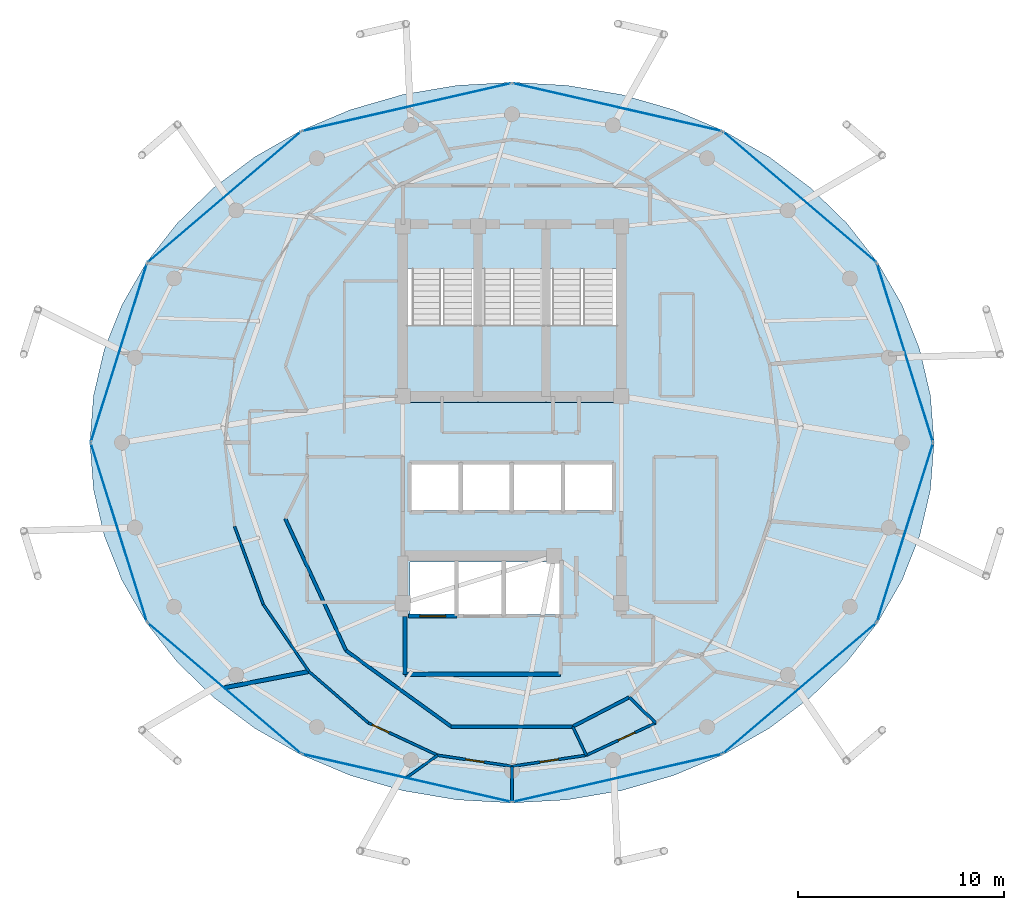
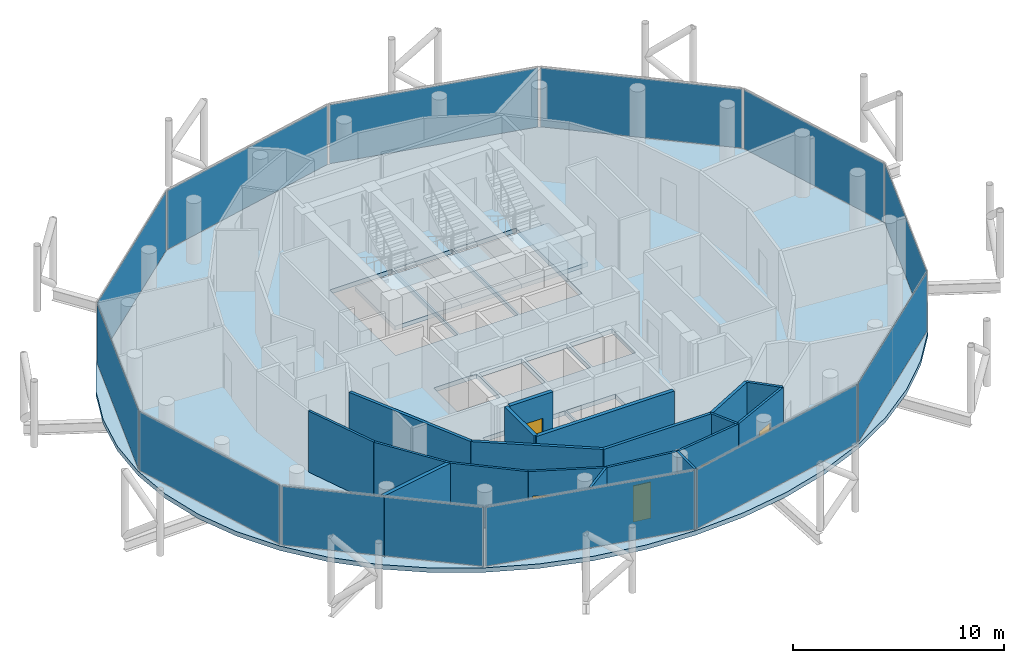
# One storey, part 19 of 24: 19 walls, 12 plates, 5 doors, 4 slabs, 5 openings, 15 elements without a shape of their own.
"""IFC4 building model written with IfcOpenShell, lengths in metres."""

from ifc_helpers import new_model, si_unit, direction, frame, frame_2d, origin, origin_2d, place, context, subcontext, project, spatial, polyline, rectangle, outline, extrude, material, layer, layer_set, type_object, element, fill, aggregate, save


model = new_model("IFC4")

# Units and contexts
model_context = context("Model", 3, precision=1e-05, world=origin(), true_north=direction((0.0, 1.0)))
body_context = subcontext(model_context, "Body", "Model", "MODEL_VIEW")
ifc_project = project(units=[si_unit("LENGTHUNIT", "METRE"), si_unit("AREAUNIT", "SQUARE_METRE"), si_unit("VOLUMEUNIT", "CUBIC_METRE"), si_unit("PLANEANGLEUNIT", "RADIAN"), si_unit("MASSUNIT", "GRAM", prefix="KILO")], contexts=[model_context])

# Site, building, storey
site_placement = place(None, origin())
site = spatial("IfcSite", under=ifc_project, at=site_placement, CompositionType="ELEMENT")
building_placement = place(site_placement, origin())
building = spatial("IfcBuilding", under=site, at=building_placement, Name="Nuhasar Tower", CompositionType="ELEMENT")
storey_placement = place(building_placement, frame((0.0, 0.0, 286.0)))
storey = spatial("IfcBuildingStorey", under=building, at=storey_placement, Name="L71", CompositionType="ELEMENT", Elevation=286.0)

# Curtain wall, plate
ifc_material_1 = material(Name="Aluminium 6063-T6", Category="aluminium")
ifc_layer_1 = layer(ifc_material_1, 0.18994140625)
ifc_layer_set_1 = layer_set([ifc_layer_1], Name="Aluminium 6063-T6")
curtain_wall_type = type_object("IfcCurtainWallType", Name="CW-Z4-PEN", PredefinedType="NOTDEFINED", material=ifc_layer_set_1)
curtain_wall_1_placement = place(storey_placement, origin())
curtain_wall_1 = element("IfcCurtainWall", 1, at=curtain_wall_1_placement, inside=storey, type_object=curtain_wall_type, Name="L71 Unitised Curtain Wall 01", PredefinedType="NOTDEFINED")
ifc_material_2 = material(Name="Glass Double Low-E", Category="glass")
ifc_layer_2 = layer(ifc_material_2, 0.028076171875)
ifc_layer_set_2 = layer_set([ifc_layer_2], Name="Glass Double Low-E")
plate_type = type_object("IfcPlateType", Name="CW-PANEL-GLZ", PredefinedType="CURTAIN_PANEL", material=ifc_layer_set_2)
plate_1_placement = place(storey_placement, frame((58.089599609375, 31.1650390625, 0.06005859375), z_axis=(0.0, 0.0, 1.0), x_axis=(-0.299556614146, 0.954078526601, 0.0)))
plate_1 = element("IfcPlate", 2, at=plate_1_placement, type_object=plate_type, Name="CW-Z4 panel 1.1", PredefinedType="CURTAIN_PANEL", context=body_context, shape_type="SweptSolid", body=[
    extrude(rectangle(XDim=9.0302734375, YDim=0.028076171875, at=origin_2d()), origin(), (0.0, 0.0, 1.0), 3.419921875),
])
aggregate(curtain_wall_1, [plate_1])

curtain_wall_2_placement = place(storey_placement, origin())
curtain_wall_2 = element("IfcCurtainWall", 3, at=curtain_wall_2_placement, inside=storey, type_object=curtain_wall_type, Name="L71 Unitised Curtain Wall 02", PredefinedType="NOTDEFINED")
plate_2_placement = place(storey_placement, frame((52.974609375, 38.7255859375, 0.06005859375), z_axis=(0.0, 0.0, 1.0), x_axis=(-0.760667252327, 0.649141996205, 0.0)))
plate_2 = element("IfcPlate", 4, at=plate_2_placement, type_object=plate_type, Name="CW-Z4 panel 1.1", PredefinedType="CURTAIN_PANEL", context=body_context, shape_type="SweptSolid", body=[
    extrude(rectangle(XDim=9.725341796875, YDim=0.028076171875, at=origin_2d()), origin(), (0.0, 0.0, 1.0), 3.419921875),
])
aggregate(curtain_wall_2, [plate_2])

curtain_wall_3_placement = place(storey_placement, origin())
curtain_wall_3 = element("IfcCurtainWall", 5, at=curtain_wall_3_placement, inside=storey, type_object=curtain_wall_type, Name="L71 Unitised Curtain Wall 03", PredefinedType="NOTDEFINED")
plate_3_placement = place(storey_placement, frame((44.114990234375, 43.090576171875, 0.06005859375), z_axis=(0.0, 0.0, 1.0), x_axis=(-0.97484371891, 0.222889487645, 0.0)))
plate_3 = element("IfcPlate", 6, at=plate_3_placement, type_object=plate_type, Name="CW-Z4 panel 1.1", PredefinedType="CURTAIN_PANEL", context=body_context, shape_type="SweptSolid", body=[
    extrude(rectangle(XDim=10.3740234375, YDim=0.028076171875, at=origin_2d()), origin(), (0.0, 0.0, 1.0), 3.419921875),
])
aggregate(curtain_wall_3, [plate_3])

curtain_wall_4_placement = place(storey_placement, origin())
curtain_wall_4 = element("IfcCurtainWall", 7, at=curtain_wall_4_placement, inside=storey, type_object=curtain_wall_type, Name="L71 Unitised Curtain Wall 04", PredefinedType="NOTDEFINED")
plate_4_placement = place(storey_placement, frame((33.885009765625, 43.090576171875, 0.06005859375), z_axis=(0.0, 0.0, 1.0), x_axis=(-0.97484371891, -0.222889487645, 0.0)))
plate_4 = element("IfcPlate", 8, at=plate_4_placement, type_object=plate_type, Name="CW-Z4 panel 1.1", PredefinedType="CURTAIN_PANEL", context=body_context, shape_type="SweptSolid", body=[
    extrude(rectangle(XDim=10.3740234375, YDim=0.028076171875, at=origin_2d()), origin(), (0.0, 0.0, 1.0), 3.419921875),
])
aggregate(curtain_wall_4, [plate_4])

curtain_wall_5_placement = place(storey_placement, origin())
curtain_wall_5 = element("IfcCurtainWall", 9, at=curtain_wall_5_placement, inside=storey, type_object=curtain_wall_type, Name="L71 Unitised Curtain Wall 05", PredefinedType="NOTDEFINED")
plate_5_placement = place(storey_placement, frame((25.025390625, 38.7255859375, 0.06005859375), z_axis=(0.0, 0.0, 1.0), x_axis=(-0.760667252327, -0.649141996205, 0.0)))
plate_5 = element("IfcPlate", 10, at=plate_5_placement, type_object=plate_type, Name="CW-Z4 panel 1.1", PredefinedType="CURTAIN_PANEL", context=body_context, shape_type="SweptSolid", body=[
    extrude(rectangle(XDim=9.725341796875, YDim=0.028076171875, at=origin_2d()), origin(), (0.0, 0.0, 1.0), 3.419921875),
])
aggregate(curtain_wall_5, [plate_5])

curtain_wall_6_placement = place(storey_placement, origin())
curtain_wall_6 = element("IfcCurtainWall", 11, at=curtain_wall_6_placement, inside=storey, type_object=curtain_wall_type, Name="L71 Unitised Curtain Wall 06", PredefinedType="NOTDEFINED")
plate_6_placement = place(storey_placement, frame((19.910400390625, 31.1650390625, 0.06005859375), z_axis=(0.0, 0.0, 1.0), x_axis=(-0.299556614146, -0.954078526601, 0.0)))
plate_6 = element("IfcPlate", 12, at=plate_6_placement, type_object=plate_type, Name="CW-Z4 panel 1.1", PredefinedType="CURTAIN_PANEL", context=body_context, shape_type="SweptSolid", body=[
    extrude(rectangle(XDim=9.0302734375, YDim=0.028076171875, at=origin_2d()), origin(), (0.0, 0.0, 1.0), 3.419921875),
])
aggregate(curtain_wall_6, [plate_6])

curtain_wall_7_placement = place(storey_placement, origin())
curtain_wall_7 = element("IfcCurtainWall", 13, at=curtain_wall_7_placement, inside=storey, type_object=curtain_wall_type, Name="L71 Unitised Curtain Wall 07", PredefinedType="NOTDEFINED")
plate_7_placement = place(storey_placement, frame((19.910400390625, 22.43505859375, 0.06005859375), z_axis=(0.0, 0.0, 1.0), x_axis=(0.299556614146, -0.954078526601, 0.0)))
plate_7 = element("IfcPlate", 14, at=plate_7_placement, type_object=plate_type, Name="CW-Z4 panel 1.1", PredefinedType="CURTAIN_PANEL", context=body_context, shape_type="SweptSolid", body=[
    extrude(rectangle(XDim=9.0302734375, YDim=0.028076171875, at=origin_2d()), origin(), (0.0, 0.0, 1.0), 3.419921875),
])
aggregate(curtain_wall_7, [plate_7])

curtain_wall_8_placement = place(storey_placement, origin())
curtain_wall_8 = element("IfcCurtainWall", 15, at=curtain_wall_8_placement, inside=storey, type_object=curtain_wall_type, Name="L71 Unitised Curtain Wall 08", PredefinedType="NOTDEFINED")
plate_8_placement = place(storey_placement, frame((25.025390625, 14.87451171875, 0.06005859375), z_axis=(0.0, 0.0, 1.0), x_axis=(0.760667252327, -0.649141996205, 0.0)))
plate_8 = element("IfcPlate", 16, at=plate_8_placement, type_object=plate_type, Name="CW-Z4 panel 1.1", PredefinedType="CURTAIN_PANEL", context=body_context, shape_type="SweptSolid", body=[
    extrude(rectangle(XDim=9.725341796875, YDim=0.028076171875, at=origin_2d()), origin(), (0.0, 0.0, 1.0), 3.419921875),
])
aggregate(curtain_wall_8, [plate_8])

curtain_wall_9_placement = place(storey_placement, origin())
curtain_wall_9 = element("IfcCurtainWall", 17, at=curtain_wall_9_placement, inside=storey, type_object=curtain_wall_type, Name="L71 Unitised Curtain Wall 09", PredefinedType="NOTDEFINED")
plate_9_placement = place(storey_placement, frame((33.885009765625, 10.509521484375, 0.06005859375), z_axis=(0.0, 0.0, 1.0), x_axis=(0.97484371891, -0.222889487645, 0.0)))
plate_9 = element("IfcPlate", 18, at=plate_9_placement, type_object=plate_type, Name="CW-Z4 panel 1.1", PredefinedType="CURTAIN_PANEL", context=body_context, shape_type="SweptSolid", body=[
    extrude(rectangle(XDim=10.3740234375, YDim=0.028076171875, at=origin_2d()), origin(), (0.0, 0.0, 1.0), 3.419921875),
])
aggregate(curtain_wall_9, [plate_9])

curtain_wall_10_placement = place(storey_placement, origin())
curtain_wall_10 = element("IfcCurtainWall", 19, at=curtain_wall_10_placement, inside=storey, type_object=curtain_wall_type, Name="L71 Unitised Curtain Wall 10", PredefinedType="NOTDEFINED")
plate_10_placement = place(storey_placement, frame((44.114990234375, 10.509521484375, 0.06005859375), z_axis=(0.0, 0.0, 1.0), x_axis=(0.97484371891, 0.222889487645, 0.0)))
plate_10 = element("IfcPlate", 20, at=plate_10_placement, type_object=plate_type, Name="CW-Z4 panel 1.1", PredefinedType="CURTAIN_PANEL", context=body_context, shape_type="SweptSolid", body=[
    extrude(rectangle(XDim=10.3740234375, YDim=0.028076171875, at=origin_2d()), origin(), (0.0, 0.0, 1.0), 3.419921875),
])
aggregate(curtain_wall_10, [plate_10])

curtain_wall_11_placement = place(storey_placement, origin())
curtain_wall_11 = element("IfcCurtainWall", 21, at=curtain_wall_11_placement, inside=storey, type_object=curtain_wall_type, Name="L71 Unitised Curtain Wall 11", PredefinedType="NOTDEFINED")
plate_11_placement = place(storey_placement, frame((52.974609375, 14.87451171875, 0.06005859375), z_axis=(0.0, 0.0, 1.0), x_axis=(0.760667252327, 0.649141996205, 0.0)))
plate_11 = element("IfcPlate", 22, at=plate_11_placement, type_object=plate_type, Name="CW-Z4 panel 1.1", PredefinedType="CURTAIN_PANEL", context=body_context, shape_type="SweptSolid", body=[
    extrude(rectangle(XDim=9.725341796875, YDim=0.028076171875, at=origin_2d()), origin(), (0.0, 0.0, 1.0), 3.419921875),
])
aggregate(curtain_wall_11, [plate_11])

curtain_wall_12_placement = place(storey_placement, origin())
curtain_wall_12 = element("IfcCurtainWall", 23, at=curtain_wall_12_placement, inside=storey, type_object=curtain_wall_type, Name="L71 Unitised Curtain Wall 12", PredefinedType="NOTDEFINED")
plate_12_placement = place(storey_placement, frame((58.089599609375, 22.43505859375, 0.06005859375), z_axis=(0.0, 0.0, 1.0), x_axis=(0.299556614146, 0.954078526601, 0.0)))
plate_12 = element("IfcPlate", 24, at=plate_12_placement, type_object=plate_type, Name="CW-Z4 panel 1.1", PredefinedType="CURTAIN_PANEL", context=body_context, shape_type="SweptSolid", body=[
    extrude(rectangle(XDim=9.0302734375, YDim=0.028076171875, at=origin_2d()), origin(), (0.0, 0.0, 1.0), 3.419921875),
])
aggregate(curtain_wall_12, [plate_12])

# Stair, slab
ifc_material_3 = material(Name="Concrete C45/55", Category="concrete")
stair_type_1 = type_object("IfcStairType", Name="STR-ST-01-2F-22R-1727", PredefinedType="HALF_TURN_STAIR", material=ifc_material_3)
stair_1_placement = place(storey_placement, origin())
stair_1 = element("IfcStair", 25, at=stair_1_placement, inside=storey, type_object=stair_type_1, Name="L71 Exit Stair ST-01", PredefinedType="HALF_TURN_STAIR")
ifc_layer_3 = layer(ifc_material_3, 0.239990234375)
ifc_layer_set_3 = layer_set([ifc_layer_3], Name="Concrete C45/55")
slab_type_1 = type_object("IfcSlabType", Name="SLB-STAIR-LND-240", PredefinedType="LANDING", material=ifc_layer_set_3)
slab_1_placement = place(storey_placement, frame((0.0, 0.0, 1.659912109375)))
slab_1 = element("IfcSlab", 26, at=slab_1_placement, type_object=slab_type_1, Name="ST-01 landing 1", PredefinedType="LANDING", context=body_context, shape_type="SweptSolid", body=[
    extrude(outline(polyline([(33.699951171875, 28.75), (37.35009765625, 28.75), (37.35009765625, 32.52001953125), (33.699951171875, 32.52001953125), (33.699951171875, 28.75)])), origin(), (0.0, 0.0, 1.0), 0.239990234375),
])
aggregate(stair_1, [slab_1])

stair_type_2 = type_object("IfcStairType", Name="STR-ST-03-2F-22R-1727", PredefinedType="HALF_TURN_STAIR", material=ifc_material_3)
stair_2_placement = place(storey_placement, origin())
stair_2 = element("IfcStair", 27, at=stair_2_placement, inside=storey, type_object=stair_type_2, Name="L71 Exit Stair ST-03", PredefinedType="HALF_TURN_STAIR")
slab_2_placement = place(storey_placement, frame((0.0, 0.0, 1.659912109375)))
slab_2 = element("IfcSlab", 28, at=slab_2_placement, type_object=slab_type_1, Name="ST-03 landing 1", PredefinedType="LANDING", context=body_context, shape_type="SweptSolid", body=[
    extrude(outline(polyline([(37.35009765625, 28.75), (40.64990234375, 28.75), (40.64990234375, 32.52001953125), (37.35009765625, 32.52001953125), (37.35009765625, 28.75)])), origin(), (0.0, 0.0, 1.0), 0.239990234375),
])
aggregate(stair_2, [slab_2])

stair_type_3 = type_object("IfcStairType", Name="STR-ST-02-2F-22R-1727", PredefinedType="HALF_TURN_STAIR", material=ifc_material_3)
stair_3_placement = place(storey_placement, origin())
stair_3 = element("IfcStair", 29, at=stair_3_placement, inside=storey, type_object=stair_type_3, Name="L71 Exit Stair ST-02", PredefinedType="HALF_TURN_STAIR")
slab_3_placement = place(storey_placement, frame((0.0, 0.0, 1.659912109375)))
slab_3 = element("IfcSlab", 30, at=slab_3_placement, type_object=slab_type_1, Name="ST-02 landing 1", PredefinedType="LANDING", context=body_context, shape_type="SweptSolid", body=[
    extrude(outline(polyline([(40.64990234375, 28.75), (44.300048828125, 28.75), (44.300048828125, 32.52001953125), (40.64990234375, 32.52001953125), (40.64990234375, 28.75)])), origin(), (0.0, 0.0, 1.0), 0.239990234375),
])
aggregate(stair_3, [slab_3])

# Slab
ifc_material_4 = material(Name="Concrete C50/60", Category="concrete")
ifc_layer_4 = layer(ifc_material_4, 0.260009765625)
ifc_layer_set_4 = layer_set([ifc_layer_4], Name="Concrete C50/60")
slab_type_2 = type_object("IfcSlabType", Name="SLB-Z1A-260", PredefinedType="FLOOR", material=ifc_layer_set_4)
slab_4_placement = place(storey_placement, frame((0.0, 0.0, -0.260009765625)))
element("IfcSlab", 31, at=slab_4_placement, inside=storey, type_object=slab_type_2, Name="L71 Structural Slab", PredefinedType="FLOOR", context=body_context, shape_type="SweptSolid", body=[
    extrude(outline(polyline([(59.5, 26.800048828125), (59.324951171875, 29.083984375), (58.801025390625, 31.3291015625), (57.93994140625, 33.4970703125), (56.75390625, 35.550048828125), (55.263916015625, 37.452880859375), (53.49609375, 39.174072265625), (51.47998046875, 40.68408203125), (49.25, 41.955078125), (46.844970703125, 42.968017578125), (44.305908203125, 43.7041015625), (41.676025390625, 44.14990234375), (39.0, 44.300048828125), (36.323974609375, 44.14990234375), (33.694091796875, 43.7041015625), (31.155029296875, 42.968017578125), (28.75, 41.955078125), (26.52001953125, 40.68408203125), (24.50390625, 39.174072265625), (22.736083984375, 37.452880859375), (21.24609375, 35.550048828125), (20.06005859375, 33.4970703125), (19.198974609375, 31.3291015625), (18.675048828125, 29.083984375), (18.5, 26.800048828125), (18.675048828125, 24.51611328125), (19.198974609375, 22.27099609375), (20.06005859375, 20.10302734375), (21.24609375, 18.050048828125), (22.736083984375, 16.14697265625), (24.50390625, 14.426025390625), (26.52001953125, 12.916015625), (28.75, 11.64501953125), (31.155029296875, 10.632080078125), (33.694091796875, 9.89599609375), (36.323974609375, 9.449951171875), (39.0, 9.300048828125), (41.676025390625, 9.449951171875), (44.305908203125, 9.89599609375), (46.844970703125, 10.632080078125), (49.25, 11.64501953125), (51.47998046875, 12.916015625), (53.49609375, 14.426025390625), (55.263916015625, 16.14697265625), (56.75390625, 18.050048828125), (57.93994140625, 20.10302734375), (58.801025390625, 22.27099609375), (59.324951171875, 24.51611328125), (59.5, 26.800048828125)]), holes=[polyline([(33.8798828125, 35.25), (37.300048828125, 35.25), (37.300048828125, 29.0), (33.8798828125, 29.0), (33.8798828125, 35.25)]), polyline([(37.39990234375, 35.25), (40.60009765625, 35.25), (40.60009765625, 29.0), (37.39990234375, 29.0), (37.39990234375, 35.25)]), polyline([(40.699951171875, 35.25), (44.1201171875, 35.25), (44.1201171875, 29.0), (40.699951171875, 29.0), (40.699951171875, 35.25)]), polyline([(34.10009765625, 25.75), (36.43994140625, 25.75), (36.43994140625, 23.5), (34.10009765625, 23.5), (34.10009765625, 25.75)]), polyline([(36.580078125, 25.75), (38.919921875, 25.75), (38.919921875, 23.5), (36.580078125, 23.5), (36.580078125, 25.75)]), polyline([(39.06005859375, 25.75), (41.39990234375, 25.75), (41.39990234375, 23.5), (39.06005859375, 23.5), (39.06005859375, 25.75)]), polyline([(41.5400390625, 25.75), (43.8798828125, 25.75), (43.8798828125, 23.5), (41.5400390625, 23.5), (41.5400390625, 25.75)]), polyline([(34.050048828125, 21.0), (36.25, 21.0), (36.25, 18.449951171875), (34.050048828125, 18.449951171875), (34.050048828125, 21.0)]), polyline([(36.35009765625, 21.0), (38.550048828125, 21.0), (38.550048828125, 18.449951171875), (36.35009765625, 18.449951171875), (36.35009765625, 21.0)]), polyline([(38.64990234375, 21.0), (41.320068359375, 21.0), (41.320068359375, 18.449951171875), (38.64990234375, 18.449951171875), (38.64990234375, 21.0)])]), origin(), (0.0, 0.0, 1.0), 0.260009765625),
])

# Walls
ifc_material_5 = material(Name="Gypsum Board", Category="gypsum")
ifc_layer_5 = layer(ifc_material_5, 0.159912109375)
ifc_layer_set_5 = layer_set([ifc_layer_5], Name="Gypsum Board")
wall_type_1 = type_object("IfcWallType", Name="WL-CORR-160", PredefinedType="PARTITIONING", material=ifc_layer_set_5)
wall_1_placement = place(storey_placement, frame((27.988037109375, 23.10400390625, 0.0), z_axis=(0.0, 0.0, 1.0), x_axis=(0.418656179426, -0.908144814128, 0.0)))
element("IfcWall", 32, at=wall_1_placement, inside=storey, type_object=wall_type_1, Name="L71 Interior Partition UWEST-CORE-S1-26", PredefinedType="PARTITIONING", context=body_context, shape_type="SweptSolid", body=[
    extrude(rectangle(XDim=7.048583984375, YDim=0.159912109375, at=frame_2d((3.5244140625, 0.0))), origin(), (0.0, 0.0, 1.0), 3.5400390625),
])
wall_2_placement = place(storey_placement, frame((30.93896484375, 16.702880859375, 0.0), z_axis=(0.0, 0.0, 1.0), x_axis=(0.810290119061, -0.586028943784, 0.0)))
element("IfcWall", 33, at=wall_2_placement, inside=storey, type_object=wall_type_1, Name="L71 Interior Partition UWEST-CORE-S1-30", PredefinedType="PARTITIONING", context=body_context, shape_type="SweptSolid", body=[
    extrude(rectangle(XDim=6.306396484375, YDim=0.159912109375, at=frame_2d((3.1533203125, 0.0))), origin(), (0.0, 0.0, 1.0), 3.5400390625),
])
wall_3_placement = place(storey_placement, frame((36.049072265625, 13.007080078125, 0.0), z_axis=(0.0, 0.0, 1.0), x_axis=(1.0, 0.0, 0.0)))
element("IfcWall", 34, at=wall_3_placement, inside=storey, type_object=wall_type_1, Name="L71 Interior Partition UWEST-CORE-S1-34", PredefinedType="PARTITIONING", context=body_context, shape_type="SweptSolid", body=[
    extrude(rectangle(XDim=5.90185546875, YDim=0.159912109375, at=frame_2d((2.950927734375, 0.0))), origin(), (0.0, 0.0, 1.0), 3.5400390625),
])
wall_4_placement = place(storey_placement, frame((41.950927734375, 13.007080078125, 0.0), z_axis=(0.0, 0.0, 1.0), x_axis=(0.887674575788, 0.460471331898, 0.0)))
element("IfcWall", 35, at=wall_4_placement, inside=storey, type_object=wall_type_1, Name="L71 Interior Partition UWEST-CORE-S1-38", PredefinedType="PARTITIONING", context=body_context, shape_type="SweptSolid", body=[
    extrude(rectangle(XDim=3.096923828125, YDim=0.159912109375, at=frame_2d((1.54833984375, 0.0))), origin(), (0.0, 0.0, 1.0), 3.5400390625),
])
ifc_layer_6 = layer(ifc_material_3, 0.199951171875)
ifc_layer_set_6 = layer_set([ifc_layer_6], Name="Concrete C45/55")
wall_type_2 = type_object("IfcWallType", Name="WL-LOBBY-200", PredefinedType="SOLIDWALL", material=ifc_layer_set_6)
wall_5_placement = place(storey_placement, frame((33.800048828125, 15.550048828125, 0.0), z_axis=(0.0, 0.0, 1.0), x_axis=(1.0, 0.0, 0.0)))
element("IfcWall", 36, at=wall_5_placement, inside=storey, type_object=wall_type_2, Name="L71 Interior Partition FFL-S", PredefinedType="SOLIDWALL", context=body_context, shape_type="SweptSolid", body=[
    extrude(rectangle(XDim=7.550048828125, YDim=0.199951171875, at=frame_2d((3.77490234375, 0.0))), origin(), (0.0, 0.0, 1.0), 3.5400390625),
])
wall_6_placement = place(storey_placement, frame((33.800048828125, 15.550048828125, 0.0), z_axis=(0.0, 0.0, 1.0), x_axis=(0.0, 1.0, 0.0)))
element("IfcWall", 37, at=wall_6_placement, inside=storey, type_object=wall_type_2, Name="L71 Interior Partition FFL-W", PredefinedType="SOLIDWALL", context=body_context, shape_type="SweptSolid", body=[
    extrude(rectangle(XDim=2.800048828125, YDim=0.199951171875, at=frame_2d((1.39990234375, 0.0))), origin(), (0.0, 0.0, 1.0), 3.5400390625),
])
ifc_layer_7 = layer(ifc_material_5, 0.125)
ifc_layer_set_7 = layer_set([ifc_layer_7], Name="Gypsum Board")
wall_type_3 = type_object("IfcWallType", Name="WL-PART-125", PredefinedType="PARTITIONING", material=ifc_layer_set_7)
wall_7_placement = place(storey_placement, frame((25.52490234375, 22.73095703125, 0.0), z_axis=(0.0, 0.0, 1.0), x_axis=(0.345128286029, -0.938555521097, 0.0)))
element("IfcWall", 38, at=wall_7_placement, inside=storey, type_object=wall_type_3, Name="L71 Interior Partition USM-1-D-26", PredefinedType="PARTITIONING", context=body_context, shape_type="SweptSolid", body=[
    extrude(rectangle(XDim=4.039306640625, YDim=0.125, at=frame_2d((2.01953125, 0.0))), origin(), (0.0, 0.0, 1.0), 3.5400390625),
])
wall_8_placement = place(storey_placement, frame((26.9189453125, 18.93994140625, 0.0), z_axis=(0.0, 0.0, 1.0), x_axis=(0.562840533245, -0.826565505049, 0.0)))
element("IfcWall", 39, at=wall_8_placement, inside=storey, type_object=wall_type_3, Name="L71 Interior Partition USM-1-D-28", PredefinedType="PARTITIONING", context=body_context, shape_type="SweptSolid", body=[
    extrude(rectangle(XDim=3.93896484375, YDim=0.125, at=frame_2d((1.969482421875, 0.0))), origin(), (0.0, 0.0, 1.0), 3.5400390625),
])

# Wall, opening, door
wall_9_placement = place(storey_placement, frame((45.97509765625, 13.18603515625, 0.0), z_axis=(0.0, 0.0, 1.0), x_axis=(-0.906162977721, -0.422928667517, 0.0)))
wall_9 = element("IfcWall", 40, at=wall_9_placement, inside=storey, type_object=wall_type_3, Name="L71 Interior Partition USM-2-K-38", PredefinedType="PARTITIONING", context=body_context, shape_type="SweptSolid", body=[
    extrude(rectangle(XDim=3.71240234375, YDim=0.125, at=frame_2d((1.856201171875, 0.0))), origin(), (0.0, 0.0, 1.0), 3.5400390625),
])
opening_1_placement = place(wall_9_placement, frame((1.10400390625, 0.0, 0.0)))
opening_1 = element("IfcOpeningElement", 41, at=opening_1_placement, cuts=wall_9, Name="Opening DR-01", PredefinedType="OPENING", context=body_context, shape_type="SweptSolid", body=[
    extrude(rectangle(XDim=0.89990234375, YDim=2.10009765625, at=frame_2d((0.449951171875, 1.050048828125))), frame((0.0, 0.072509765625, 0.0), z_axis=(0.0, -1.0, 0.0), x_axis=(1.0, 0.0, 0.0)), (0.0, 0.0, 1.0), 0.14501953125),
])
ifc_material_6 = material(Name="Timber Oak", Category="wood")
door_type_1 = type_object("IfcDoorType", Name="DR-ROOM-900", OperationType="NOTDEFINED", PredefinedType="DOOR", material=ifc_material_6)
door_1_placement = place(opening_1_placement, origin())
door_1 = element("IfcDoor", 42, at=door_1_placement, inside=storey, type_object=door_type_1, Name="L71 South-West Sky Home Kitchen Door", OperationType="SINGLE_SWING_LEFT", OverallHeight=2.10009765625, OverallWidth=0.89990234375, PredefinedType="DOOR", context=body_context, shape_type="SweptSolid", body=[
    extrude(rectangle(XDim=0.89990234375, YDim=2.10009765625, at=frame_2d((0.449951171875, 1.050048828125))), frame((0.0, 0.02490234375, 0.0), z_axis=(0.0, -1.0, 0.0), x_axis=(1.0, 0.0, 0.0)), (0.0, 0.0, 1.0), 0.050048828125),
])
fill(opening_1, door_1)

# Walls
wall_10_placement = place(storey_placement, frame((41.950927734375, 13.007080078125, 0.0), z_axis=(0.0, 0.0, 1.0), x_axis=(0.428726905473, -0.903434137347, 0.0)))
element("IfcWall", 43, at=wall_10_placement, inside=storey, type_object=wall_type_3, Name="L71 Interior Partition USI-2-DK", PredefinedType="PARTITIONING", context=body_context, shape_type="SweptSolid", body=[
    extrude(rectangle(XDim=1.539794921875, YDim=0.125, at=frame_2d((0.77001953125, 0.0))), origin(), (0.0, 0.0, 1.0), 3.5400390625),
])
wall_11_placement = place(storey_placement, frame((29.135986328125, 15.68408203125, 0.0), z_axis=(0.0, 0.0, 1.0), x_axis=(0.756424716633, -0.654080765706, 0.0)))
element("IfcWall", 44, at=wall_11_placement, inside=storey, type_object=wall_type_3, Name="L71 Interior Partition USM-2-D-30", PredefinedType="PARTITIONING", context=body_context, shape_type="SweptSolid", body=[
    extrude(rectangle(XDim=3.819091796875, YDim=0.125, at=frame_2d((1.90966796875, 0.0))), origin(), (0.0, 0.0, 1.0), 3.5400390625),
])

# Wall, opening, door
wall_12_placement = place(storey_placement, frame((35.388916015625, 11.615966796875, 0.0), z_axis=(0.0, 0.0, 1.0), x_axis=(-0.906162977721, 0.422928667517, 0.0)))
wall_12 = element("IfcWall", 45, at=wall_12_placement, inside=storey, type_object=wall_type_3, Name="L71 Interior Partition USM-2-D-32", PredefinedType="PARTITIONING", context=body_context, shape_type="SweptSolid", body=[
    extrude(rectangle(XDim=3.71240234375, YDim=0.125, at=frame_2d((1.856201171875, 0.0))), origin(), (0.0, 0.0, 1.0), 3.5400390625),
])
opening_2_placement = place(wall_12_placement, frame((2.612060546875, 0.0, 0.0)))
opening_2 = element("IfcOpeningElement", 46, at=opening_2_placement, cuts=wall_12, Name="Opening DR-01", PredefinedType="OPENING", context=body_context, shape_type="SweptSolid", body=[
    extrude(rectangle(XDim=0.89990234375, YDim=2.10009765625, at=frame_2d((0.449951171875, 1.050048828125))), frame((0.0, 0.072509765625, 0.0), z_axis=(0.0, -1.0, 0.0), x_axis=(1.0, 0.0, 0.0)), (0.0, 0.0, 1.0), 0.14501953125),
])
door_2_placement = place(opening_2_placement, origin())
door_2 = element("IfcDoor", 47, at=door_2_placement, inside=storey, type_object=door_type_1, Name="L71 South-West Sky Home Living Door", OperationType="SINGLE_SWING_RIGHT", OverallHeight=2.10009765625, OverallWidth=0.89990234375, PredefinedType="DOOR", context=body_context, shape_type="SweptSolid", body=[
    extrude(rectangle(XDim=0.89990234375, YDim=2.10009765625, at=frame_2d((0.449951171875, 1.050048828125))), frame((0.0, 0.02490234375, 0.0), z_axis=(0.0, -1.0, 0.0), x_axis=(1.0, 0.0, 0.0)), (0.0, 0.0, 1.0), 0.050048828125),
])
fill(opening_2, door_2)

wall_13_placement = place(storey_placement, frame((39.0, 11.080078125, 0.0), z_axis=(0.0, 0.0, 1.0), x_axis=(-0.989167166266, 0.146793450744, 0.0)))
wall_13 = element("IfcWall", 48, at=wall_13_placement, inside=storey, type_object=wall_type_3, Name="L71 Interior Partition USM-2-D-34", PredefinedType="PARTITIONING", context=body_context, shape_type="SweptSolid", body=[
    extrude(rectangle(XDim=3.650634765625, YDim=0.125, at=frame_2d((1.8251953125, 0.0))), origin(), (0.0, 0.0, 1.0), 3.5400390625),
])
opening_3_placement = place(wall_13_placement, frame((1.375, 0.0, 0.0)))
opening_3 = element("IfcOpeningElement", 49, at=opening_3_placement, cuts=wall_13, Name="Opening DR-01", PredefinedType="OPENING", context=body_context, shape_type="SweptSolid", body=[
    extrude(rectangle(XDim=0.89990234375, YDim=2.10009765625, at=frame_2d((0.449951171875, 1.050048828125))), frame((0.0, 0.072509765625, 0.0), z_axis=(0.0, -1.0, 0.0), x_axis=(1.0, 0.0, 0.0)), (0.0, 0.0, 1.0), 0.14501953125),
])
door_3_placement = place(opening_3_placement, origin())
door_3 = element("IfcDoor", 50, at=door_3_placement, inside=storey, type_object=door_type_1, Name="L71 South-West Sky Home Study Door", OperationType="SINGLE_SWING_LEFT", OverallHeight=2.10009765625, OverallWidth=0.89990234375, PredefinedType="DOOR", context=body_context, shape_type="SweptSolid", body=[
    extrude(rectangle(XDim=0.89990234375, YDim=2.10009765625, at=frame_2d((0.449951171875, 1.050048828125))), frame((0.0, 0.02490234375, 0.0), z_axis=(0.0, -1.0, 0.0), x_axis=(1.0, 0.0, 0.0)), (0.0, 0.0, 1.0), 0.050048828125),
])
fill(opening_3, door_3)

wall_14_placement = place(storey_placement, frame((42.611083984375, 11.615966796875, 0.0), z_axis=(0.0, 0.0, 1.0), x_axis=(-0.989167166266, -0.146793450744, 0.0)))
wall_14 = element("IfcWall", 51, at=wall_14_placement, inside=storey, type_object=wall_type_3, Name="L71 Interior Partition USM-2-D-36", PredefinedType="PARTITIONING", context=body_context, shape_type="SweptSolid", body=[
    extrude(rectangle(XDim=3.650634765625, YDim=0.125, at=frame_2d((1.8251953125, 0.0))), origin(), (0.0, 0.0, 1.0), 3.5400390625),
])
opening_4_placement = place(wall_14_placement, frame((1.375, 0.0, 0.0)))
opening_4 = element("IfcOpeningElement", 52, at=opening_4_placement, cuts=wall_14, Name="Opening DR-01", PredefinedType="OPENING", context=body_context, shape_type="SweptSolid", body=[
    extrude(rectangle(XDim=0.89990234375, YDim=2.10009765625, at=frame_2d((0.449951171875, 1.050048828125))), frame((0.0, 0.072509765625, 0.0), z_axis=(0.0, -1.0, 0.0), x_axis=(1.0, 0.0, 0.0)), (0.0, 0.0, 1.0), 0.14501953125),
])
door_4_placement = place(opening_4_placement, origin())
door_4 = element("IfcDoor", 53, at=door_4_placement, inside=storey, type_object=door_type_1, Name="L71 South-West Sky Home Master Bedroom Door", OperationType="SINGLE_SWING_RIGHT", OverallHeight=2.10009765625, OverallWidth=0.89990234375, PredefinedType="DOOR", context=body_context, shape_type="SweptSolid", body=[
    extrude(rectangle(XDim=0.89990234375, YDim=2.10009765625, at=frame_2d((0.449951171875, 1.050048828125))), frame((0.0, 0.02490234375, 0.0), z_axis=(0.0, -1.0, 0.0), x_axis=(1.0, 0.0, 0.0)), (0.0, 0.0, 1.0), 0.050048828125),
])
fill(opening_4, door_4)

# Walls
wall_15_placement = place(storey_placement, frame((35.388916015625, 11.615966796875, 0.0), z_axis=(0.0, 0.0, 1.0), x_axis=(-0.812386585373, -0.58311922958, 0.0)))
element("IfcWall", 54, at=wall_15_placement, inside=storey, type_object=wall_type_3, Name="L71 Interior Partition USO-2-B1", PredefinedType="PARTITIONING", context=body_context, shape_type="SweptSolid", body=[
    extrude(rectangle(XDim=1.840087890625, YDim=0.125, at=frame_2d((0.919921875, 0.0))), origin(), (0.0, 0.0, 1.0), 3.5400390625),
])
wall_16_placement = place(storey_placement, frame((39.0, 11.080078125, 0.0), z_axis=(0.0, 0.0, 1.0), x_axis=(0.0, -1.0, 0.0)))
element("IfcWall", 55, at=wall_16_placement, inside=storey, type_object=wall_type_3, Name="L71 Interior Partition USO-2-B2", PredefinedType="PARTITIONING", context=body_context, shape_type="SweptSolid", body=[
    extrude(rectangle(XDim=1.705078125, YDim=0.125, at=frame_2d((0.8525390625, 0.0))), origin(), (0.0, 0.0, 1.0), 3.5400390625),
])

# Wall, opening, door
ifc_layer_8 = layer(ifc_material_3, 0.199951171875)
ifc_layer_set_8 = layer_set([ifc_layer_8], Name="Concrete C45/55")
wall_type_4 = type_object("IfcWallType", Name="WL-SHAFT-200", PredefinedType="SOLIDWALL", material=ifc_layer_set_8)
wall_17_placement = place(storey_placement, frame((33.969970703125, 18.3701171875, 0.0), z_axis=(0.0, 0.0, 1.0), x_axis=(1.0, 0.0, 0.0)))
wall_17 = element("IfcWall", 56, at=wall_17_placement, inside=storey, type_object=wall_type_4, Name="L71 Interior Partition SHF-FFL-01-S", PredefinedType="SOLIDWALL", context=body_context, shape_type="SweptSolid", body=[
    extrude(rectangle(XDim=2.360107421875, YDim=0.199951171875, at=frame_2d((1.18017578125, 0.0))), origin(), (0.0, 0.0, 1.0), 3.5400390625),
])
opening_5_placement = place(wall_17_placement, frame((0.554931640625, 0.0, 0.0)))
opening_5 = element("IfcOpeningElement", 57, at=opening_5_placement, cuts=wall_17, Name="Opening LD-F01", PredefinedType="OPENING", context=body_context, shape_type="SweptSolid", body=[
    extrude(rectangle(XDim=1.25, YDim=2.199951171875, at=frame_2d((0.625, 1.10009765625))), frame((0.0, 0.10986328125, 0.0), z_axis=(0.0, -1.0, 0.0), x_axis=(1.0, 0.0, 0.0)), (0.0, 0.0, 1.0), 0.219970703125),
])
ifc_material_7 = material(Name="Stainless Steel 316L", Category="steel")
door_type_2 = type_object("IfcDoorType", Name="LD-FFL-1250", OperationType="DOUBLE_DOOR_SLIDING", PredefinedType="DOOR", material=ifc_material_7)
door_5_placement = place(opening_5_placement, origin())
door_5 = element("IfcDoor", 58, at=door_5_placement, inside=storey, type_object=door_type_2, Name="L71 Lift Landing Door FFL-01", OperationType="DOUBLE_DOOR_SLIDING", OverallHeight=2.199951171875, OverallWidth=1.25, PredefinedType="DOOR", context=body_context, shape_type="SweptSolid", body=[
    extrude(rectangle(XDim=1.25, YDim=2.199951171875, at=frame_2d((0.625, 1.10009765625))), frame((0.0, 0.02490234375, 0.0), z_axis=(0.0, -1.0, 0.0), x_axis=(1.0, 0.0, 0.0)), (0.0, 0.0, 1.0), 0.050048828125),
])
fill(opening_5, door_5)

# Walls
ifc_material_8 = material(Name="Concrete C40/50 precast", Category="concrete")
ifc_layer_9 = layer(ifc_material_8, 0.199951171875)
ifc_layer_set_9 = layer_set([ifc_layer_9], Name="Concrete C40/50 precast")
wall_type_5 = type_object("IfcWallType", Name="WL-UNIT-200", PredefinedType="PARTITIONING", material=ifc_layer_set_9)
wall_18_placement = place(storey_placement, frame((29.135986328125, 15.68408203125, 0.0), z_axis=(0.0, 0.0, 1.0), x_axis=(-0.982041578383, -0.188664618643, 0.0)))
element("IfcWall", 59, at=wall_18_placement, inside=storey, type_object=wall_type_5, Name="L71 Interior Partition UWEST-PARTY-OUT", PredefinedType="PARTITIONING", context=body_context, shape_type="SweptSolid", body=[
    extrude(rectangle(XDim=4.16162109375, YDim=0.199951171875, at=frame_2d((2.080810546875, 0.0))), origin(), (0.0, 0.0, 1.0), 3.5400390625),
])
ifc_layer_10 = layer(ifc_material_8, 0.139892578125)
ifc_layer_set_10 = layer_set([ifc_layer_10], Name="Concrete C40/50 precast")
wall_type_6 = type_object("IfcWallType", Name="WL-WET-140", PredefinedType="PARTITIONING", material=ifc_layer_set_10)
wall_19_placement = place(storey_placement, frame((44.699951171875, 14.43310546875, 0.0), z_axis=(0.0, 0.0, 1.0), x_axis=(0.714933679917, -0.699192272069, 0.0)))
element("IfcWall", 60, at=wall_19_placement, inside=storey, type_object=wall_type_6, Name="L71 Interior Partition USI-2-KB", PredefinedType="PARTITIONING", context=body_context, shape_type="SweptSolid", body=[
    extrude(rectangle(XDim=1.78369140625, YDim=0.139892578125, at=frame_2d((0.891845703125, 0.0))), origin(), (0.0, 0.0, 1.0), 3.5400390625),
])

save(model, "model.ifc")
